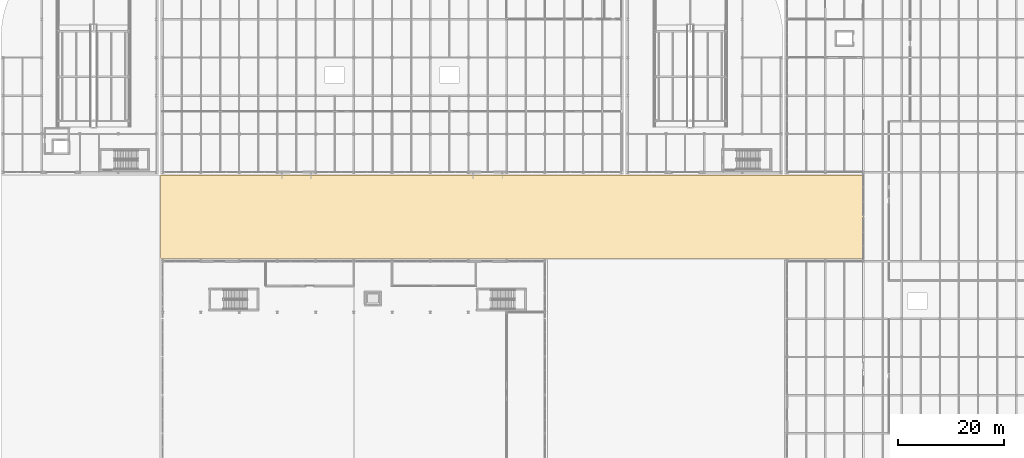
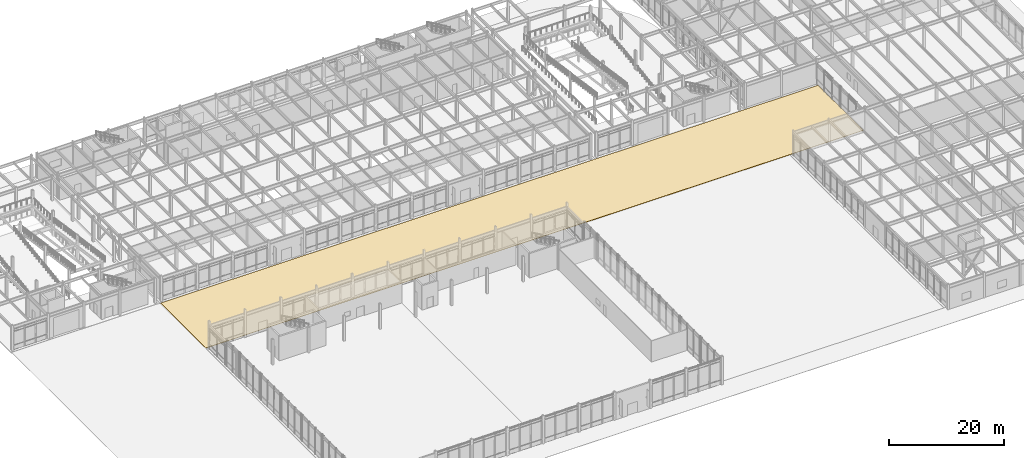
# One storey, part 92 of 104: 1 covering.
"""IFC4 building model written with IfcOpenShell, lengths in metres."""

from ifc_helpers import new_model, si_unit, direction, frame, origin, place, context, subcontext, project, spatial, polyline, outline, extrude, material, layer, layer_set, type_object, element, save


model = new_model("IFC4")

# Units and contexts
model_context = context("Model", 3, precision=1e-05, world=origin(), true_north=direction((0.0, 1.0)))
body_context = subcontext(model_context, "Body", "Model", "MODEL_VIEW")
ifc_project = project(units=[si_unit("LENGTHUNIT", "METRE"), si_unit("AREAUNIT", "SQUARE_METRE"), si_unit("VOLUMEUNIT", "CUBIC_METRE"), si_unit("PLANEANGLEUNIT", "RADIAN"), si_unit("MASSUNIT", "GRAM", prefix="KILO")], contexts=[model_context])

# Site, building, storey
site_placement = place(None, origin())
site = spatial("IfcSite", under=ifc_project, at=site_placement, CompositionType="ELEMENT")
building_placement = place(site_placement, origin())
building = spatial("IfcBuilding", under=site, at=building_placement, Name="Vaelcorin Mobility Hub", CompositionType="ELEMENT")
storey_placement = place(building_placement, origin())
storey = spatial("IfcBuildingStorey", under=building, at=storey_placement, Name="L00", CompositionType="ELEMENT", Elevation=0.0)

# Covering
ifc_material = material(Name="Permeable granite plaza paving", Category="masonry")
ifc_layer = layer(ifc_material, 0.080078125)
ifc_layer_set = layer_set([ifc_layer], Name="Permeable granite plaza paving")
covering_type = type_object("IfcCoveringType", Name="COV-PAVE-80", PredefinedType="USERDEFINED", material=ifc_layer_set)
covering_placement = place(storey_placement, frame((0.0, 0.0, -0.080078125)))
element("IfcCovering", 1, at=covering_placement, inside=storey, type_object=covering_type, Name="Central Shaded Oasis Court Paving", ObjectType="SITE PAVING", PredefinedType="USERDEFINED", context=body_context, shape_type="SweptSolid", body=[
    extrude(outline(polyline([(35.60009765625, 60.5), (168.0, 60.5), (168.0, 76.300048828125), (35.60009765625, 76.300048828125), (35.60009765625, 60.5)])), origin(), (0.0, 0.0, 1.0), 0.080078125),
])

save(model, "model.ifc")
